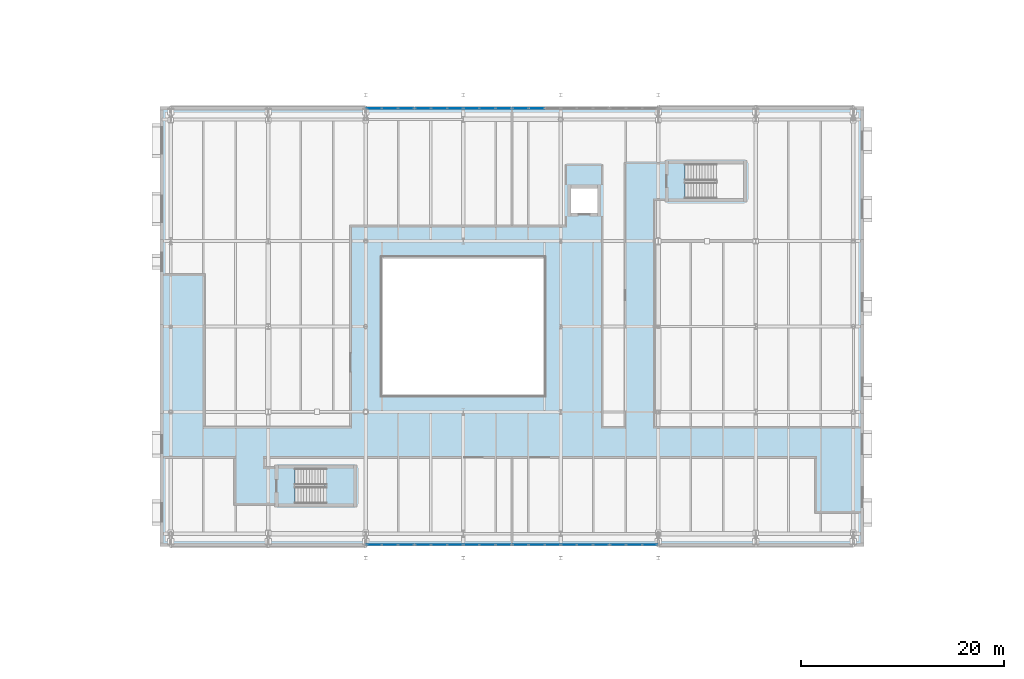
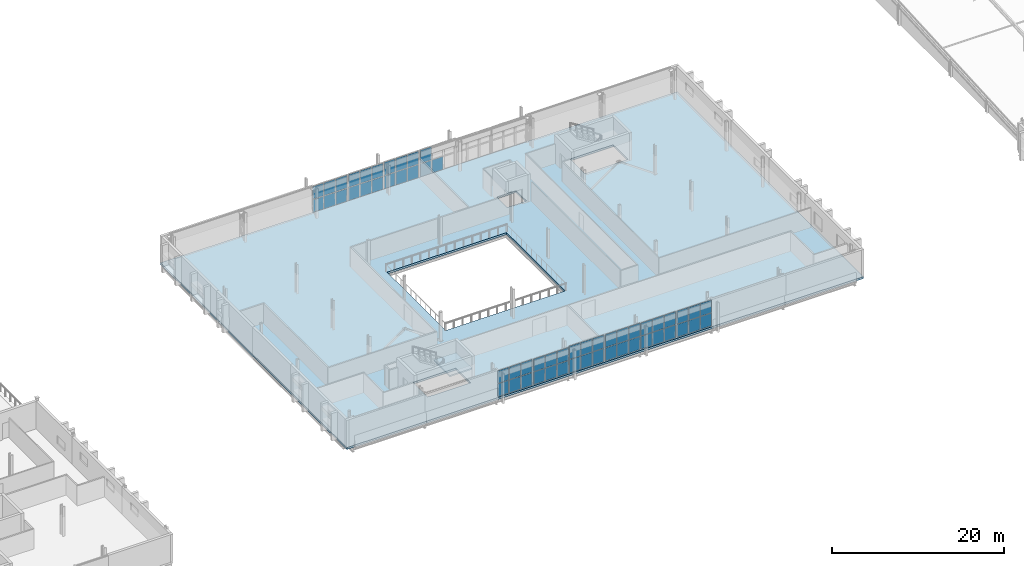
# One storey, part 30 of 57: 57 plates, 2 slabs, 11 elements without a shape of their own.
"""IFC4 building model written with IfcOpenShell, lengths in metres."""

from ifc_helpers import new_model, si_unit, direction, frame, origin, origin_2d, place, context, subcontext, project, spatial, polyline, rectangle, outline, extrude, material, layer, layer_set, type_object, element, aggregate, save


model = new_model("IFC4")

# Units and contexts
model_context = context("Model", 3, precision=1e-05, world=origin(), true_north=direction((0.0, 1.0)))
body_context = subcontext(model_context, "Body", "Model", "MODEL_VIEW")
ifc_project = project(units=[si_unit("LENGTHUNIT", "METRE"), si_unit("AREAUNIT", "SQUARE_METRE"), si_unit("VOLUMEUNIT", "CUBIC_METRE"), si_unit("PLANEANGLEUNIT", "RADIAN"), si_unit("MASSUNIT", "GRAM", prefix="KILO")], contexts=[model_context])

# Site, building, storey
site_placement = place(None, origin())
site = spatial("IfcSite", under=ifc_project, at=site_placement, CompositionType="ELEMENT")
building_placement = place(site_placement, origin())
building = spatial("IfcBuilding", under=site, at=building_placement, Name="Zereglee Splitstone Museum", CompositionType="ELEMENT")
storey_placement = place(building_placement, frame((0.0, 0.0, 17.10009765625)))
storey = spatial("IfcBuildingStorey", under=building, at=storey_placement, Name="L03", CompositionType="ELEMENT", Elevation=17.10009765625)

# Curtain wall, plates
ifc_material_1 = material(Name="Triple-glazed low-E argon glass and bronze-anodised aluminium", Category="aluminium")
ifc_layer_1 = layer(ifc_material_1, 0.219970703125)
ifc_layer_set_1 = layer_set([ifc_layer_1], Name="Triple-glazed low-E argon glass and bronze-anodised aluminium")
curtain_wall_type_1 = type_object("IfcCurtainWallType", Name="CW-0476-378", PredefinedType="USERDEFINED", material=ifc_layer_set_1)
curtain_wall_1_placement = place(storey_placement, origin())
curtain_wall_1 = element("IfcCurtainWall", 1, at=curtain_wall_1_placement, inside=storey, type_object=curtain_wall_type_1, Name="Glazed Curtain Wall CW-0476-378 (L03)", ObjectType="GLAZED CURTAIN WALL", PredefinedType="USERDEFINED")
ifc_material_2 = material(Name="Triple low-e argon insulated safety glass", Category="glass")
ifc_layer_2 = layer(ifc_material_2, 0.035888671875)
ifc_layer_set_2 = layer_set([ifc_layer_2], Name="Triple low-e argon insulated safety glass")
plate_type = type_object("IfcPlateType", Name="CWP-01", PredefinedType="CURTAIN_PANEL", material=ifc_layer_set_2)
plate_1_placement = place(storey_placement, frame((98.011962890625, 8.52001953125, 0.07470703125), z_axis=(0.0, 0.0, 1.0), x_axis=(1.0, 0.0, 0.0)))
plate_1 = element("IfcPlate", 2, at=plate_1_placement, type_object=plate_type, Name="CW-0476-378 panel 1.1", PredefinedType="CURTAIN_PANEL", context=body_context, shape_type="SweptSolid", body=[
    extrude(rectangle(XDim=1.47412109375, YDim=0.035888671875, at=origin_2d()), origin(), (0.0, 0.0, 1.0), 1.777587890625),
])
plate_2_placement = place(storey_placement, frame((98.011962890625, 8.52001953125, 1.92724609375), z_axis=(0.0, 0.0, 1.0), x_axis=(1.0, 0.0, 0.0)))
plate_2 = element("IfcPlate", 3, at=plate_2_placement, type_object=plate_type, Name="CW-0476-378 panel 1.2", PredefinedType="CURTAIN_PANEL", context=body_context, shape_type="SweptSolid", body=[
    extrude(rectangle(XDim=1.47412109375, YDim=0.035888671875, at=origin_2d()), origin(), (0.0, 0.0, 1.0), 1.777587890625),
])
plate_3_placement = place(storey_placement, frame((99.580078125, 8.52001953125, 0.07470703125), z_axis=(0.0, 0.0, 1.0), x_axis=(1.0, 0.0, 0.0)))
plate_3 = element("IfcPlate", 4, at=plate_3_placement, type_object=plate_type, Name="CW-0476-378 panel 2.1", PredefinedType="CURTAIN_PANEL", context=body_context, shape_type="SweptSolid", body=[
    extrude(rectangle(XDim=1.51171875, YDim=0.035888671875, at=origin_2d()), origin(), (0.0, 0.0, 1.0), 1.777587890625),
])
plate_4_placement = place(storey_placement, frame((99.580078125, 8.52001953125, 1.92724609375), z_axis=(0.0, 0.0, 1.0), x_axis=(1.0, 0.0, 0.0)))
plate_4 = element("IfcPlate", 5, at=plate_4_placement, type_object=plate_type, Name="CW-0476-378 panel 2.2", PredefinedType="CURTAIN_PANEL", context=body_context, shape_type="SweptSolid", body=[
    extrude(rectangle(XDim=1.51171875, YDim=0.035888671875, at=origin_2d()), origin(), (0.0, 0.0, 1.0), 1.777587890625),
])
plate_5_placement = place(storey_placement, frame((101.14794921875, 8.52001953125, 0.07470703125), z_axis=(0.0, 0.0, 1.0), x_axis=(1.0, 0.0, 0.0)))
plate_5 = element("IfcPlate", 6, at=plate_5_placement, type_object=plate_type, Name="CW-0476-378 panel 3.1", PredefinedType="CURTAIN_PANEL", context=body_context, shape_type="SweptSolid", body=[
    extrude(rectangle(XDim=1.47412109375, YDim=0.035888671875, at=origin_2d()), origin(), (0.0, 0.0, 1.0), 1.777587890625),
])
plate_6_placement = place(storey_placement, frame((101.14794921875, 8.52001953125, 1.92724609375), z_axis=(0.0, 0.0, 1.0), x_axis=(1.0, 0.0, 0.0)))
plate_6 = element("IfcPlate", 7, at=plate_6_placement, type_object=plate_type, Name="CW-0476-378 panel 3.2", PredefinedType="CURTAIN_PANEL", context=body_context, shape_type="SweptSolid", body=[
    extrude(rectangle(XDim=1.47412109375, YDim=0.035888671875, at=origin_2d()), origin(), (0.0, 0.0, 1.0), 1.777587890625),
])
aggregate(curtain_wall_1, [plate_1, plate_2, plate_3, plate_4, plate_5, plate_6])

ifc_layer_3 = layer(ifc_material_1, 0.219970703125)
ifc_layer_set_3 = layer_set([ifc_layer_3], Name="Triple-glazed low-E argon glass and bronze-anodised aluminium")
curtain_wall_type_2 = type_object("IfcCurtainWallType", Name="CW-0476-376", PredefinedType="USERDEFINED", material=ifc_layer_set_3)
curtain_wall_2_placement = place(storey_placement, origin())
curtain_wall_2 = element("IfcCurtainWall", 8, at=curtain_wall_2_placement, inside=storey, type_object=curtain_wall_type_2, Name="Glazed Curtain Wall CW-0476-376 (L03)", ObjectType="GLAZED CURTAIN WALL", PredefinedType="USERDEFINED")
plate_7_placement = place(storey_placement, frame((102.85205078125, 8.52001953125, 0.074951171875), z_axis=(0.0, 0.0, 1.0), x_axis=(1.0, 0.0, 0.0)))
plate_7 = element("IfcPlate", 9, at=plate_7_placement, type_object=plate_type, Name="CW-0476-376 panel 1.1", PredefinedType="CURTAIN_PANEL", context=body_context, shape_type="SweptSolid", body=[
    extrude(rectangle(XDim=1.47412109375, YDim=0.035888671875, at=origin_2d()), origin(), (0.0, 0.0, 1.0), 1.767578125),
])
plate_8_placement = place(storey_placement, frame((102.85205078125, 8.52001953125, 1.91748046875), z_axis=(0.0, 0.0, 1.0), x_axis=(1.0, 0.0, 0.0)))
plate_8 = element("IfcPlate", 10, at=plate_8_placement, type_object=plate_type, Name="CW-0476-376 panel 1.2", PredefinedType="CURTAIN_PANEL", context=body_context, shape_type="SweptSolid", body=[
    extrude(rectangle(XDim=1.47412109375, YDim=0.035888671875, at=origin_2d()), origin(), (0.0, 0.0, 1.0), 1.767578125),
])
plate_9_placement = place(storey_placement, frame((104.419921875, 8.52001953125, 0.074951171875), z_axis=(0.0, 0.0, 1.0), x_axis=(1.0, 0.0, 0.0)))
plate_9 = element("IfcPlate", 11, at=plate_9_placement, type_object=plate_type, Name="CW-0476-376 panel 2.1", PredefinedType="CURTAIN_PANEL", context=body_context, shape_type="SweptSolid", body=[
    extrude(rectangle(XDim=1.51171875, YDim=0.035888671875, at=origin_2d()), origin(), (0.0, 0.0, 1.0), 1.767578125),
])
plate_10_placement = place(storey_placement, frame((104.419921875, 8.52001953125, 1.91748046875), z_axis=(0.0, 0.0, 1.0), x_axis=(1.0, 0.0, 0.0)))
plate_10 = element("IfcPlate", 12, at=plate_10_placement, type_object=plate_type, Name="CW-0476-376 panel 2.2", PredefinedType="CURTAIN_PANEL", context=body_context, shape_type="SweptSolid", body=[
    extrude(rectangle(XDim=1.51171875, YDim=0.035888671875, at=origin_2d()), origin(), (0.0, 0.0, 1.0), 1.767578125),
])
plate_11_placement = place(storey_placement, frame((105.988037109375, 8.52001953125, 0.074951171875), z_axis=(0.0, 0.0, 1.0), x_axis=(1.0, 0.0, 0.0)))
plate_11 = element("IfcPlate", 13, at=plate_11_placement, type_object=plate_type, Name="CW-0476-376 panel 3.1", PredefinedType="CURTAIN_PANEL", context=body_context, shape_type="SweptSolid", body=[
    extrude(rectangle(XDim=1.47412109375, YDim=0.035888671875, at=origin_2d()), origin(), (0.0, 0.0, 1.0), 1.767578125),
])
plate_12_placement = place(storey_placement, frame((105.988037109375, 8.52001953125, 1.91748046875), z_axis=(0.0, 0.0, 1.0), x_axis=(1.0, 0.0, 0.0)))
plate_12 = element("IfcPlate", 14, at=plate_12_placement, type_object=plate_type, Name="CW-0476-376 panel 3.2", PredefinedType="CURTAIN_PANEL", context=body_context, shape_type="SweptSolid", body=[
    extrude(rectangle(XDim=1.47412109375, YDim=0.035888671875, at=origin_2d()), origin(), (0.0, 0.0, 1.0), 1.767578125),
])
aggregate(curtain_wall_2, [plate_7, plate_8, plate_9, plate_10, plate_11, plate_12])

ifc_layer_4 = layer(ifc_material_1, 0.219970703125)
ifc_layer_set_4 = layer_set([ifc_layer_4], Name="Triple-glazed low-E argon glass and bronze-anodised aluminium")
curtain_wall_type_3 = type_object("IfcCurtainWallType", Name="CW-0476-390", PredefinedType="USERDEFINED", material=ifc_layer_set_4)
curtain_wall_3_placement = place(storey_placement, origin())
curtain_wall_3 = element("IfcCurtainWall", 15, at=curtain_wall_3_placement, inside=storey, type_object=curtain_wall_type_3, Name="Glazed Curtain Wall CW-0476-390 (L03)", ObjectType="GLAZED CURTAIN WALL", PredefinedType="USERDEFINED")
plate_13_placement = place(storey_placement, frame((107.612060546875, 8.52001953125, 0.074951171875), z_axis=(0.0, 0.0, 1.0), x_axis=(1.0, 0.0, 0.0)))
plate_13 = element("IfcPlate", 16, at=plate_13_placement, type_object=plate_type, Name="CW-0476-390 panel 1.1", PredefinedType="CURTAIN_PANEL", context=body_context, shape_type="SweptSolid", body=[
    extrude(rectangle(XDim=1.47412109375, YDim=0.035888671875, at=origin_2d()), origin(), (0.0, 0.0, 1.0), 1.83740234375),
])
plate_14_placement = place(storey_placement, frame((107.612060546875, 8.52001953125, 1.987548828125), z_axis=(0.0, 0.0, 1.0), x_axis=(1.0, 0.0, 0.0)))
plate_14 = element("IfcPlate", 17, at=plate_14_placement, type_object=plate_type, Name="CW-0476-390 panel 1.2", PredefinedType="CURTAIN_PANEL", context=body_context, shape_type="SweptSolid", body=[
    extrude(rectangle(XDim=1.47412109375, YDim=0.035888671875, at=origin_2d()), origin(), (0.0, 0.0, 1.0), 1.83740234375),
])
plate_15_placement = place(storey_placement, frame((109.179931640625, 8.52001953125, 0.074951171875), z_axis=(0.0, 0.0, 1.0), x_axis=(1.0, 0.0, 0.0)))
plate_15 = element("IfcPlate", 18, at=plate_15_placement, type_object=plate_type, Name="CW-0476-390 panel 2.1", PredefinedType="CURTAIN_PANEL", context=body_context, shape_type="SweptSolid", body=[
    extrude(rectangle(XDim=1.51171875, YDim=0.035888671875, at=origin_2d()), origin(), (0.0, 0.0, 1.0), 1.83740234375),
])
plate_16_placement = place(storey_placement, frame((109.179931640625, 8.52001953125, 1.987548828125), z_axis=(0.0, 0.0, 1.0), x_axis=(1.0, 0.0, 0.0)))
plate_16 = element("IfcPlate", 19, at=plate_16_placement, type_object=plate_type, Name="CW-0476-390 panel 2.2", PredefinedType="CURTAIN_PANEL", context=body_context, shape_type="SweptSolid", body=[
    extrude(rectangle(XDim=1.51171875, YDim=0.035888671875, at=origin_2d()), origin(), (0.0, 0.0, 1.0), 1.83740234375),
])
plate_17_placement = place(storey_placement, frame((110.747802734375, 8.52001953125, 0.074951171875), z_axis=(0.0, 0.0, 1.0), x_axis=(1.0, 0.0, 0.0)))
plate_17 = element("IfcPlate", 20, at=plate_17_placement, type_object=plate_type, Name="CW-0476-390 panel 3.1", PredefinedType="CURTAIN_PANEL", context=body_context, shape_type="SweptSolid", body=[
    extrude(rectangle(XDim=1.47412109375, YDim=0.035888671875, at=origin_2d()), origin(), (0.0, 0.0, 1.0), 1.83740234375),
])
plate_18_placement = place(storey_placement, frame((110.747802734375, 8.52001953125, 1.987548828125), z_axis=(0.0, 0.0, 1.0), x_axis=(1.0, 0.0, 0.0)))
plate_18 = element("IfcPlate", 21, at=plate_18_placement, type_object=plate_type, Name="CW-0476-390 panel 3.2", PredefinedType="CURTAIN_PANEL", context=body_context, shape_type="SweptSolid", body=[
    extrude(rectangle(XDim=1.47412109375, YDim=0.035888671875, at=origin_2d()), origin(), (0.0, 0.0, 1.0), 1.83740234375),
])
aggregate(curtain_wall_3, [plate_13, plate_14, plate_15, plate_16, plate_17, plate_18])

ifc_layer_5 = layer(ifc_material_1, 0.219970703125)
ifc_layer_set_5 = layer_set([ifc_layer_5], Name="Triple-glazed low-E argon glass and bronze-anodised aluminium")
curtain_wall_type_4 = type_object("IfcCurtainWallType", Name="CW-0476-388", PredefinedType="USERDEFINED", material=ifc_layer_set_5)
curtain_wall_4_placement = place(storey_placement, origin())
curtain_wall_4 = element("IfcCurtainWall", 22, at=curtain_wall_4_placement, inside=storey, type_object=curtain_wall_type_4, Name="Glazed Curtain Wall CW-0476-388 (L03)", ObjectType="GLAZED CURTAIN WALL", PredefinedType="USERDEFINED")
plate_19_placement = place(storey_placement, frame((112.4521484375, 8.52001953125, 0.0751953125), z_axis=(0.0, 0.0, 1.0), x_axis=(1.0, 0.0, 0.0)))
plate_19 = element("IfcPlate", 23, at=plate_19_placement, type_object=plate_type, Name="CW-0476-388 panel 1.1", PredefinedType="CURTAIN_PANEL", context=body_context, shape_type="SweptSolid", body=[
    extrude(rectangle(XDim=1.47412109375, YDim=0.035888671875, at=origin_2d()), origin(), (0.0, 0.0, 1.0), 1.827392578125),
])
plate_20_placement = place(storey_placement, frame((112.4521484375, 8.52001953125, 1.9775390625), z_axis=(0.0, 0.0, 1.0), x_axis=(1.0, 0.0, 0.0)))
plate_20 = element("IfcPlate", 24, at=plate_20_placement, type_object=plate_type, Name="CW-0476-388 panel 1.2", PredefinedType="CURTAIN_PANEL", context=body_context, shape_type="SweptSolid", body=[
    extrude(rectangle(XDim=1.47412109375, YDim=0.035888671875, at=origin_2d()), origin(), (0.0, 0.0, 1.0), 1.827392578125),
])
plate_21_placement = place(storey_placement, frame((114.02001953125, 8.52001953125, 0.0751953125), z_axis=(0.0, 0.0, 1.0), x_axis=(1.0, 0.0, 0.0)))
plate_21 = element("IfcPlate", 25, at=plate_21_placement, type_object=plate_type, Name="CW-0476-388 panel 2.1", PredefinedType="CURTAIN_PANEL", context=body_context, shape_type="SweptSolid", body=[
    extrude(rectangle(XDim=1.51171875, YDim=0.035888671875, at=origin_2d()), origin(), (0.0, 0.0, 1.0), 1.827392578125),
])
plate_22_placement = place(storey_placement, frame((114.02001953125, 8.52001953125, 1.9775390625), z_axis=(0.0, 0.0, 1.0), x_axis=(1.0, 0.0, 0.0)))
plate_22 = element("IfcPlate", 26, at=plate_22_placement, type_object=plate_type, Name="CW-0476-388 panel 2.2", PredefinedType="CURTAIN_PANEL", context=body_context, shape_type="SweptSolid", body=[
    extrude(rectangle(XDim=1.51171875, YDim=0.035888671875, at=origin_2d()), origin(), (0.0, 0.0, 1.0), 1.827392578125),
])
plate_23_placement = place(storey_placement, frame((115.587890625, 8.52001953125, 0.0751953125), z_axis=(0.0, 0.0, 1.0), x_axis=(1.0, 0.0, 0.0)))
plate_23 = element("IfcPlate", 27, at=plate_23_placement, type_object=plate_type, Name="CW-0476-388 panel 3.1", PredefinedType="CURTAIN_PANEL", context=body_context, shape_type="SweptSolid", body=[
    extrude(rectangle(XDim=1.47412109375, YDim=0.035888671875, at=origin_2d()), origin(), (0.0, 0.0, 1.0), 1.827392578125),
])
plate_24_placement = place(storey_placement, frame((115.587890625, 8.52001953125, 1.9775390625), z_axis=(0.0, 0.0, 1.0), x_axis=(1.0, 0.0, 0.0)))
plate_24 = element("IfcPlate", 28, at=plate_24_placement, type_object=plate_type, Name="CW-0476-388 panel 3.2", PredefinedType="CURTAIN_PANEL", context=body_context, shape_type="SweptSolid", body=[
    extrude(rectangle(XDim=1.47412109375, YDim=0.035888671875, at=origin_2d()), origin(), (0.0, 0.0, 1.0), 1.827392578125),
])
aggregate(curtain_wall_4, [plate_19, plate_20, plate_21, plate_22, plate_23, plate_24])

ifc_layer_6 = layer(ifc_material_1, 0.219970703125)
ifc_layer_set_6 = layer_set([ifc_layer_6], Name="Triple-glazed low-E argon glass and bronze-anodised aluminium")
curtain_wall_type_5 = type_object("IfcCurtainWallType", Name="CW-0476-384", PredefinedType="USERDEFINED", material=ifc_layer_set_6)
curtain_wall_5_placement = place(storey_placement, origin())
curtain_wall_5 = element("IfcCurtainWall", 29, at=curtain_wall_5_placement, inside=storey, type_object=curtain_wall_type_5, Name="Glazed Curtain Wall CW-0476-384 (L03)", ObjectType="GLAZED CURTAIN WALL", PredefinedType="USERDEFINED")
plate_25_placement = place(storey_placement, frame((117.212158203125, 8.52001953125, 0.074951171875), z_axis=(0.0, 0.0, 1.0), x_axis=(1.0, 0.0, 0.0)))
plate_25 = element("IfcPlate", 30, at=plate_25_placement, type_object=plate_type, Name="CW-0476-384 panel 1.1", PredefinedType="CURTAIN_PANEL", context=body_context, shape_type="SweptSolid", body=[
    extrude(rectangle(XDim=1.47412109375, YDim=0.035888671875, at=origin_2d()), origin(), (0.0, 0.0, 1.0), 1.8076171875),
])
plate_26_placement = place(storey_placement, frame((117.212158203125, 8.52001953125, 1.957275390625), z_axis=(0.0, 0.0, 1.0), x_axis=(1.0, 0.0, 0.0)))
plate_26 = element("IfcPlate", 31, at=plate_26_placement, type_object=plate_type, Name="CW-0476-384 panel 1.2", PredefinedType="CURTAIN_PANEL", context=body_context, shape_type="SweptSolid", body=[
    extrude(rectangle(XDim=1.47412109375, YDim=0.035888671875, at=origin_2d()), origin(), (0.0, 0.0, 1.0), 1.8076171875),
])
plate_27_placement = place(storey_placement, frame((118.780029296875, 8.52001953125, 0.074951171875), z_axis=(0.0, 0.0, 1.0), x_axis=(1.0, 0.0, 0.0)))
plate_27 = element("IfcPlate", 32, at=plate_27_placement, type_object=plate_type, Name="CW-0476-384 panel 2.1", PredefinedType="CURTAIN_PANEL", context=body_context, shape_type="SweptSolid", body=[
    extrude(rectangle(XDim=1.51171875, YDim=0.035888671875, at=origin_2d()), origin(), (0.0, 0.0, 1.0), 1.8076171875),
])
plate_28_placement = place(storey_placement, frame((118.780029296875, 8.52001953125, 1.957275390625), z_axis=(0.0, 0.0, 1.0), x_axis=(1.0, 0.0, 0.0)))
plate_28 = element("IfcPlate", 33, at=plate_28_placement, type_object=plate_type, Name="CW-0476-384 panel 2.2", PredefinedType="CURTAIN_PANEL", context=body_context, shape_type="SweptSolid", body=[
    extrude(rectangle(XDim=1.51171875, YDim=0.035888671875, at=origin_2d()), origin(), (0.0, 0.0, 1.0), 1.8076171875),
])
plate_29_placement = place(storey_placement, frame((120.347900390625, 8.52001953125, 0.074951171875), z_axis=(0.0, 0.0, 1.0), x_axis=(1.0, 0.0, 0.0)))
plate_29 = element("IfcPlate", 34, at=plate_29_placement, type_object=plate_type, Name="CW-0476-384 panel 3.1", PredefinedType="CURTAIN_PANEL", context=body_context, shape_type="SweptSolid", body=[
    extrude(rectangle(XDim=1.47412109375, YDim=0.035888671875, at=origin_2d()), origin(), (0.0, 0.0, 1.0), 1.8076171875),
])
plate_30_placement = place(storey_placement, frame((120.347900390625, 8.52001953125, 1.957275390625), z_axis=(0.0, 0.0, 1.0), x_axis=(1.0, 0.0, 0.0)))
plate_30 = element("IfcPlate", 35, at=plate_30_placement, type_object=plate_type, Name="CW-0476-384 panel 3.2", PredefinedType="CURTAIN_PANEL", context=body_context, shape_type="SweptSolid", body=[
    extrude(rectangle(XDim=1.47412109375, YDim=0.035888671875, at=origin_2d()), origin(), (0.0, 0.0, 1.0), 1.8076171875),
])
aggregate(curtain_wall_5, [plate_25, plate_26, plate_27, plate_28, plate_29, plate_30])

ifc_layer_7 = layer(ifc_material_1, 0.219970703125)
ifc_layer_set_7 = layer_set([ifc_layer_7], Name="Triple-glazed low-E argon glass and bronze-anodised aluminium")
curtain_wall_type_6 = type_object("IfcCurtainWallType", Name="CW-0476-382", PredefinedType="USERDEFINED", material=ifc_layer_set_7)
curtain_wall_6_placement = place(storey_placement, origin())
curtain_wall_6 = element("IfcCurtainWall", 36, at=curtain_wall_6_placement, inside=storey, type_object=curtain_wall_type_6, Name="Glazed Curtain Wall CW-0476-382 (L03)", ObjectType="GLAZED CURTAIN WALL", PredefinedType="USERDEFINED")
plate_31_placement = place(storey_placement, frame((122.052001953125, 8.52001953125, 0.07470703125), z_axis=(0.0, 0.0, 1.0), x_axis=(1.0, 0.0, 0.0)))
plate_31 = element("IfcPlate", 37, at=plate_31_placement, type_object=plate_type, Name="CW-0476-382 panel 1.1", PredefinedType="CURTAIN_PANEL", context=body_context, shape_type="SweptSolid", body=[
    extrude(rectangle(XDim=1.47412109375, YDim=0.035888671875, at=origin_2d()), origin(), (0.0, 0.0, 1.0), 1.797607421875),
])
plate_32_placement = place(storey_placement, frame((122.052001953125, 8.52001953125, 1.947265625), z_axis=(0.0, 0.0, 1.0), x_axis=(1.0, 0.0, 0.0)))
plate_32 = element("IfcPlate", 38, at=plate_32_placement, type_object=plate_type, Name="CW-0476-382 panel 1.2", PredefinedType="CURTAIN_PANEL", context=body_context, shape_type="SweptSolid", body=[
    extrude(rectangle(XDim=1.47412109375, YDim=0.035888671875, at=origin_2d()), origin(), (0.0, 0.0, 1.0), 1.797607421875),
])
plate_33_placement = place(storey_placement, frame((123.6201171875, 8.52001953125, 0.07470703125), z_axis=(0.0, 0.0, 1.0), x_axis=(1.0, 0.0, 0.0)))
plate_33 = element("IfcPlate", 39, at=plate_33_placement, type_object=plate_type, Name="CW-0476-382 panel 2.1", PredefinedType="CURTAIN_PANEL", context=body_context, shape_type="SweptSolid", body=[
    extrude(rectangle(XDim=1.51171875, YDim=0.035888671875, at=origin_2d()), origin(), (0.0, 0.0, 1.0), 1.797607421875),
])
plate_34_placement = place(storey_placement, frame((123.6201171875, 8.52001953125, 1.947265625), z_axis=(0.0, 0.0, 1.0), x_axis=(1.0, 0.0, 0.0)))
plate_34 = element("IfcPlate", 40, at=plate_34_placement, type_object=plate_type, Name="CW-0476-382 panel 2.2", PredefinedType="CURTAIN_PANEL", context=body_context, shape_type="SweptSolid", body=[
    extrude(rectangle(XDim=1.51171875, YDim=0.035888671875, at=origin_2d()), origin(), (0.0, 0.0, 1.0), 1.797607421875),
])
plate_35_placement = place(storey_placement, frame((125.18798828125, 8.52001953125, 0.07470703125), z_axis=(0.0, 0.0, 1.0), x_axis=(1.0, 0.0, 0.0)))
plate_35 = element("IfcPlate", 41, at=plate_35_placement, type_object=plate_type, Name="CW-0476-382 panel 3.1", PredefinedType="CURTAIN_PANEL", context=body_context, shape_type="SweptSolid", body=[
    extrude(rectangle(XDim=1.47412109375, YDim=0.035888671875, at=origin_2d()), origin(), (0.0, 0.0, 1.0), 1.797607421875),
])
plate_36_placement = place(storey_placement, frame((125.18798828125, 8.52001953125, 1.947265625), z_axis=(0.0, 0.0, 1.0), x_axis=(1.0, 0.0, 0.0)))
plate_36 = element("IfcPlate", 42, at=plate_36_placement, type_object=plate_type, Name="CW-0476-382 panel 3.2", PredefinedType="CURTAIN_PANEL", context=body_context, shape_type="SweptSolid", body=[
    extrude(rectangle(XDim=1.47412109375, YDim=0.035888671875, at=origin_2d()), origin(), (0.0, 0.0, 1.0), 1.797607421875),
])
aggregate(curtain_wall_6, [plate_31, plate_32, plate_33, plate_34, plate_35, plate_36])

curtain_wall_7_placement = place(storey_placement, origin())
curtain_wall_7 = element("IfcCurtainWall", 43, at=curtain_wall_7_placement, inside=storey, type_object=curtain_wall_type_3, Name="Glazed Curtain Wall CW-0476-390 (L03)", ObjectType="GLAZED CURTAIN WALL", PredefinedType="USERDEFINED")
plate_37_placement = place(storey_placement, frame((114.02001953125, 51.47998046875, 0.074951171875), z_axis=(0.0, 0.0, 1.0), x_axis=(-1.0, 0.0, 0.0)))
plate_37 = element("IfcPlate", 44, at=plate_37_placement, type_object=plate_type, Name="CW-0476-390 panel 2.1", PredefinedType="CURTAIN_PANEL", context=body_context, shape_type="SweptSolid", body=[
    extrude(rectangle(XDim=1.51171875, YDim=0.035888671875, at=origin_2d()), origin(), (0.0, 0.0, 1.0), 1.83740234375),
])
plate_38_placement = place(storey_placement, frame((112.4521484375, 51.47998046875, 0.074951171875), z_axis=(0.0, 0.0, 1.0), x_axis=(-1.0, 0.0, 0.0)))
plate_38 = element("IfcPlate", 45, at=plate_38_placement, type_object=plate_type, Name="CW-0476-390 panel 3.1", PredefinedType="CURTAIN_PANEL", context=body_context, shape_type="SweptSolid", body=[
    extrude(rectangle(XDim=1.47412109375, YDim=0.035888671875, at=origin_2d()), origin(), (0.0, 0.0, 1.0), 1.83740234375),
])
plate_39_placement = place(storey_placement, frame((112.4521484375, 51.47998046875, 1.987548828125), z_axis=(0.0, 0.0, 1.0), x_axis=(-1.0, 0.0, 0.0)))
plate_39 = element("IfcPlate", 46, at=plate_39_placement, type_object=plate_type, Name="CW-0476-390 panel 3.2", PredefinedType="CURTAIN_PANEL", context=body_context, shape_type="SweptSolid", body=[
    extrude(rectangle(XDim=1.47412109375, YDim=0.035888671875, at=origin_2d()), origin(), (0.0, 0.0, 1.0), 1.83740234375),
])
aggregate(curtain_wall_7, [plate_37, plate_38, plate_39])

curtain_wall_8_placement = place(storey_placement, origin())
curtain_wall_8 = element("IfcCurtainWall", 47, at=curtain_wall_8_placement, inside=storey, type_object=curtain_wall_type_4, Name="Glazed Curtain Wall CW-0476-388 (L03)", ObjectType="GLAZED CURTAIN WALL", PredefinedType="USERDEFINED")
plate_40_placement = place(storey_placement, frame((110.747802734375, 51.47998046875, 0.0751953125), z_axis=(0.0, 0.0, 1.0), x_axis=(-1.0, 0.0, 0.0)))
plate_40 = element("IfcPlate", 48, at=plate_40_placement, type_object=plate_type, Name="CW-0476-388 panel 1.1", PredefinedType="CURTAIN_PANEL", context=body_context, shape_type="SweptSolid", body=[
    extrude(rectangle(XDim=1.47412109375, YDim=0.035888671875, at=origin_2d()), origin(), (0.0, 0.0, 1.0), 1.827392578125),
])
plate_41_placement = place(storey_placement, frame((110.747802734375, 51.47998046875, 1.9775390625), z_axis=(0.0, 0.0, 1.0), x_axis=(-1.0, 0.0, 0.0)))
plate_41 = element("IfcPlate", 49, at=plate_41_placement, type_object=plate_type, Name="CW-0476-388 panel 1.2", PredefinedType="CURTAIN_PANEL", context=body_context, shape_type="SweptSolid", body=[
    extrude(rectangle(XDim=1.47412109375, YDim=0.035888671875, at=origin_2d()), origin(), (0.0, 0.0, 1.0), 1.827392578125),
])
plate_42_placement = place(storey_placement, frame((109.179931640625, 51.47998046875, 0.0751953125), z_axis=(0.0, 0.0, 1.0), x_axis=(-1.0, 0.0, 0.0)))
plate_42 = element("IfcPlate", 50, at=plate_42_placement, type_object=plate_type, Name="CW-0476-388 panel 2.1", PredefinedType="CURTAIN_PANEL", context=body_context, shape_type="SweptSolid", body=[
    extrude(rectangle(XDim=1.51171875, YDim=0.035888671875, at=origin_2d()), origin(), (0.0, 0.0, 1.0), 1.827392578125),
])
plate_43_placement = place(storey_placement, frame((109.179931640625, 51.47998046875, 1.9775390625), z_axis=(0.0, 0.0, 1.0), x_axis=(-1.0, 0.0, 0.0)))
plate_43 = element("IfcPlate", 51, at=plate_43_placement, type_object=plate_type, Name="CW-0476-388 panel 2.2", PredefinedType="CURTAIN_PANEL", context=body_context, shape_type="SweptSolid", body=[
    extrude(rectangle(XDim=1.51171875, YDim=0.035888671875, at=origin_2d()), origin(), (0.0, 0.0, 1.0), 1.827392578125),
])
plate_44_placement = place(storey_placement, frame((107.612060546875, 51.47998046875, 0.0751953125), z_axis=(0.0, 0.0, 1.0), x_axis=(-1.0, 0.0, 0.0)))
plate_44 = element("IfcPlate", 52, at=plate_44_placement, type_object=plate_type, Name="CW-0476-388 panel 3.1", PredefinedType="CURTAIN_PANEL", context=body_context, shape_type="SweptSolid", body=[
    extrude(rectangle(XDim=1.47412109375, YDim=0.035888671875, at=origin_2d()), origin(), (0.0, 0.0, 1.0), 1.827392578125),
])
plate_45_placement = place(storey_placement, frame((107.612060546875, 51.47998046875, 1.9775390625), z_axis=(0.0, 0.0, 1.0), x_axis=(-1.0, 0.0, 0.0)))
plate_45 = element("IfcPlate", 53, at=plate_45_placement, type_object=plate_type, Name="CW-0476-388 panel 3.2", PredefinedType="CURTAIN_PANEL", context=body_context, shape_type="SweptSolid", body=[
    extrude(rectangle(XDim=1.47412109375, YDim=0.035888671875, at=origin_2d()), origin(), (0.0, 0.0, 1.0), 1.827392578125),
])
aggregate(curtain_wall_8, [plate_40, plate_41, plate_42, plate_43, plate_44, plate_45])

curtain_wall_9_placement = place(storey_placement, origin())
curtain_wall_9 = element("IfcCurtainWall", 54, at=curtain_wall_9_placement, inside=storey, type_object=curtain_wall_type_5, Name="Glazed Curtain Wall CW-0476-384 (L03)", ObjectType="GLAZED CURTAIN WALL", PredefinedType="USERDEFINED")
plate_46_placement = place(storey_placement, frame((105.988037109375, 51.47998046875, 0.074951171875), z_axis=(0.0, 0.0, 1.0), x_axis=(-1.0, 0.0, 0.0)))
plate_46 = element("IfcPlate", 55, at=plate_46_placement, type_object=plate_type, Name="CW-0476-384 panel 1.1", PredefinedType="CURTAIN_PANEL", context=body_context, shape_type="SweptSolid", body=[
    extrude(rectangle(XDim=1.47412109375, YDim=0.035888671875, at=origin_2d()), origin(), (0.0, 0.0, 1.0), 1.8076171875),
])
plate_47_placement = place(storey_placement, frame((105.988037109375, 51.47998046875, 1.957275390625), z_axis=(0.0, 0.0, 1.0), x_axis=(-1.0, 0.0, 0.0)))
plate_47 = element("IfcPlate", 56, at=plate_47_placement, type_object=plate_type, Name="CW-0476-384 panel 1.2", PredefinedType="CURTAIN_PANEL", context=body_context, shape_type="SweptSolid", body=[
    extrude(rectangle(XDim=1.47412109375, YDim=0.035888671875, at=origin_2d()), origin(), (0.0, 0.0, 1.0), 1.8076171875),
])
plate_48_placement = place(storey_placement, frame((104.419921875, 51.47998046875, 0.074951171875), z_axis=(0.0, 0.0, 1.0), x_axis=(-1.0, 0.0, 0.0)))
plate_48 = element("IfcPlate", 57, at=plate_48_placement, type_object=plate_type, Name="CW-0476-384 panel 2.1", PredefinedType="CURTAIN_PANEL", context=body_context, shape_type="SweptSolid", body=[
    extrude(rectangle(XDim=1.51171875, YDim=0.035888671875, at=origin_2d()), origin(), (0.0, 0.0, 1.0), 1.8076171875),
])
plate_49_placement = place(storey_placement, frame((104.419921875, 51.47998046875, 1.957275390625), z_axis=(0.0, 0.0, 1.0), x_axis=(-1.0, 0.0, 0.0)))
plate_49 = element("IfcPlate", 58, at=plate_49_placement, type_object=plate_type, Name="CW-0476-384 panel 2.2", PredefinedType="CURTAIN_PANEL", context=body_context, shape_type="SweptSolid", body=[
    extrude(rectangle(XDim=1.51171875, YDim=0.035888671875, at=origin_2d()), origin(), (0.0, 0.0, 1.0), 1.8076171875),
])
plate_50_placement = place(storey_placement, frame((102.85205078125, 51.47998046875, 0.074951171875), z_axis=(0.0, 0.0, 1.0), x_axis=(-1.0, 0.0, 0.0)))
plate_50 = element("IfcPlate", 59, at=plate_50_placement, type_object=plate_type, Name="CW-0476-384 panel 3.1", PredefinedType="CURTAIN_PANEL", context=body_context, shape_type="SweptSolid", body=[
    extrude(rectangle(XDim=1.47412109375, YDim=0.035888671875, at=origin_2d()), origin(), (0.0, 0.0, 1.0), 1.8076171875),
])
plate_51_placement = place(storey_placement, frame((102.85205078125, 51.47998046875, 1.957275390625), z_axis=(0.0, 0.0, 1.0), x_axis=(-1.0, 0.0, 0.0)))
plate_51 = element("IfcPlate", 60, at=plate_51_placement, type_object=plate_type, Name="CW-0476-384 panel 3.2", PredefinedType="CURTAIN_PANEL", context=body_context, shape_type="SweptSolid", body=[
    extrude(rectangle(XDim=1.47412109375, YDim=0.035888671875, at=origin_2d()), origin(), (0.0, 0.0, 1.0), 1.8076171875),
])
aggregate(curtain_wall_9, [plate_46, plate_47, plate_48, plate_49, plate_50, plate_51])

curtain_wall_10_placement = place(storey_placement, origin())
curtain_wall_10 = element("IfcCurtainWall", 61, at=curtain_wall_10_placement, inside=storey, type_object=curtain_wall_type_6, Name="Glazed Curtain Wall CW-0476-382 (L03)", ObjectType="GLAZED CURTAIN WALL", PredefinedType="USERDEFINED")
plate_52_placement = place(storey_placement, frame((101.14794921875, 51.47998046875, 0.07470703125), z_axis=(0.0, 0.0, 1.0), x_axis=(-1.0, 0.0, 0.0)))
plate_52 = element("IfcPlate", 62, at=plate_52_placement, type_object=plate_type, Name="CW-0476-382 panel 1.1", PredefinedType="CURTAIN_PANEL", context=body_context, shape_type="SweptSolid", body=[
    extrude(rectangle(XDim=1.47412109375, YDim=0.035888671875, at=origin_2d()), origin(), (0.0, 0.0, 1.0), 1.797607421875),
])
plate_53_placement = place(storey_placement, frame((101.14794921875, 51.47998046875, 1.947265625), z_axis=(0.0, 0.0, 1.0), x_axis=(-1.0, 0.0, 0.0)))
plate_53 = element("IfcPlate", 63, at=plate_53_placement, type_object=plate_type, Name="CW-0476-382 panel 1.2", PredefinedType="CURTAIN_PANEL", context=body_context, shape_type="SweptSolid", body=[
    extrude(rectangle(XDim=1.47412109375, YDim=0.035888671875, at=origin_2d()), origin(), (0.0, 0.0, 1.0), 1.797607421875),
])
plate_54_placement = place(storey_placement, frame((99.580078125, 51.47998046875, 0.07470703125), z_axis=(0.0, 0.0, 1.0), x_axis=(-1.0, 0.0, 0.0)))
plate_54 = element("IfcPlate", 64, at=plate_54_placement, type_object=plate_type, Name="CW-0476-382 panel 2.1", PredefinedType="CURTAIN_PANEL", context=body_context, shape_type="SweptSolid", body=[
    extrude(rectangle(XDim=1.51171875, YDim=0.035888671875, at=origin_2d()), origin(), (0.0, 0.0, 1.0), 1.797607421875),
])
plate_55_placement = place(storey_placement, frame((99.580078125, 51.47998046875, 1.947265625), z_axis=(0.0, 0.0, 1.0), x_axis=(-1.0, 0.0, 0.0)))
plate_55 = element("IfcPlate", 65, at=plate_55_placement, type_object=plate_type, Name="CW-0476-382 panel 2.2", PredefinedType="CURTAIN_PANEL", context=body_context, shape_type="SweptSolid", body=[
    extrude(rectangle(XDim=1.51171875, YDim=0.035888671875, at=origin_2d()), origin(), (0.0, 0.0, 1.0), 1.797607421875),
])
plate_56_placement = place(storey_placement, frame((98.011962890625, 51.47998046875, 0.07470703125), z_axis=(0.0, 0.0, 1.0), x_axis=(-1.0, 0.0, 0.0)))
plate_56 = element("IfcPlate", 66, at=plate_56_placement, type_object=plate_type, Name="CW-0476-382 panel 3.1", PredefinedType="CURTAIN_PANEL", context=body_context, shape_type="SweptSolid", body=[
    extrude(rectangle(XDim=1.47412109375, YDim=0.035888671875, at=origin_2d()), origin(), (0.0, 0.0, 1.0), 1.797607421875),
])
plate_57_placement = place(storey_placement, frame((98.011962890625, 51.47998046875, 1.947265625), z_axis=(0.0, 0.0, 1.0), x_axis=(-1.0, 0.0, 0.0)))
plate_57 = element("IfcPlate", 67, at=plate_57_placement, type_object=plate_type, Name="CW-0476-382 panel 3.2", PredefinedType="CURTAIN_PANEL", context=body_context, shape_type="SweptSolid", body=[
    extrude(rectangle(XDim=1.47412109375, YDim=0.035888671875, at=origin_2d()), origin(), (0.0, 0.0, 1.0), 1.797607421875),
])
aggregate(curtain_wall_10, [plate_52, plate_53, plate_54, plate_55, plate_56, plate_57])

# Slab
ifc_material_3 = material(Name="Concrete C35/45", Category="concrete")
ifc_layer_8 = layer(ifc_material_3, 0.280029296875)
ifc_layer_set_8 = layer_set([ifc_layer_8], Name="Concrete C35/45")
slab_type_1 = type_object("IfcSlabType", Name="FS-04", PredefinedType="FLOOR", material=ifc_layer_set_8)
slab_1_placement = place(storey_placement, frame((0.0, 0.0, -0.280029296875)))
element("IfcSlab", 68, at=slab_1_placement, inside=storey, type_object=slab_type_1, Name="Gallery Floor Slab L03-V2", PredefinedType="FLOOR", context=body_context, shape_type="SweptSolid", body=[
    extrude(outline(polyline([(77.0, 8.39990234375), (146.199951171875, 8.39990234375), (146.199951171875, 51.60009765625), (77.0, 51.60009765625), (77.0, 8.39990234375)]), holes=[polyline([(98.800048828125, 23.199951171875), (114.800048828125, 23.199951171875), (114.800048828125, 36.800048828125), (98.800048828125, 36.800048828125), (98.800048828125, 23.199951171875)]), polyline([(128.654052734375, 42.60009765625), (134.39990234375, 42.60009765625), (134.39990234375, 46.0), (128.654052734375, 46.0), (128.654052734375, 42.60009765625)]), polyline([(90.25390625, 12.60009765625), (96.0, 12.60009765625), (96.0, 16.0), (90.25390625, 16.0), (90.25390625, 12.60009765625)]), polyline([(117.39990234375, 41.199951171875), (120.0, 41.199951171875), (120.0, 43.60009765625), (117.39990234375, 43.60009765625), (117.39990234375, 41.199951171875)])]), origin(), (0.0, 0.0, 1.0), 0.280029296875),
])

# Stair, slab
stair_type = type_object("IfcStairType", Name="ST-06B", PredefinedType="HALF_TURN_STAIR", material=ifc_material_3)
stair_placement = place(storey_placement, origin())
stair = element("IfcStair", 69, at=stair_placement, inside=storey, type_object=stair_type, Name="L03 Protected Exit Stair ST-06 B", PredefinedType="HALF_TURN_STAIR")
ifc_layer_9 = layer(ifc_material_3, 0.199951171875)
ifc_layer_set_9 = layer_set([ifc_layer_9], Name="Concrete C35/45")
slab_type_2 = type_object("IfcSlabType", Name="ST-06B", PredefinedType="LANDING", material=ifc_layer_set_9)
slab_2_placement = place(storey_placement, frame((0.0, 0.0, 1.89990234375)))
slab_2 = element("IfcSlab", 70, at=slab_2_placement, type_object=slab_type_2, Name="ST-06B landing 1", PredefinedType="LANDING", context=body_context, shape_type="SweptSolid", body=[
    extrude(outline(polyline([(93.14990234375, 12.4599609375), (96.139892578125, 12.4599609375), (96.139892578125, 16.139892578125), (93.14990234375, 16.139892578125), (93.14990234375, 12.4599609375)])), origin(), (0.0, 0.0, 1.0), 0.199951171875),
])
aggregate(stair, [slab_2])

save(model, "model.ifc")
